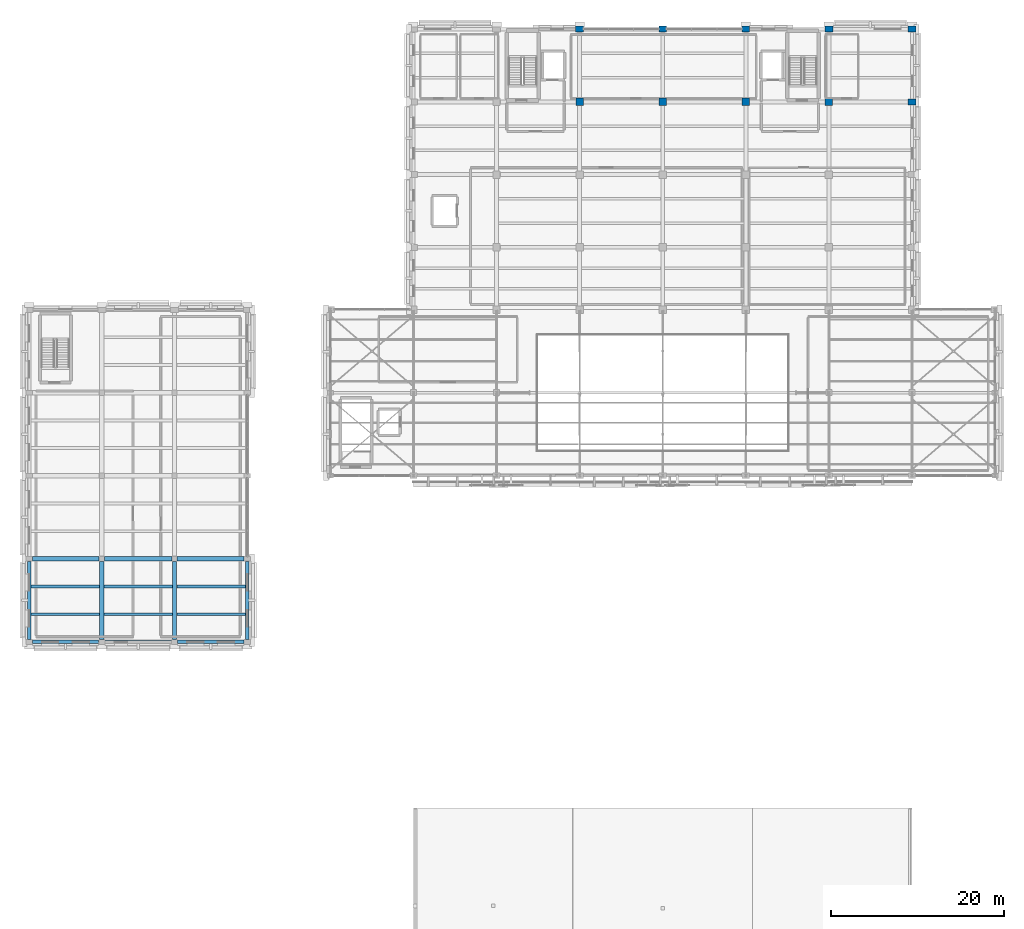
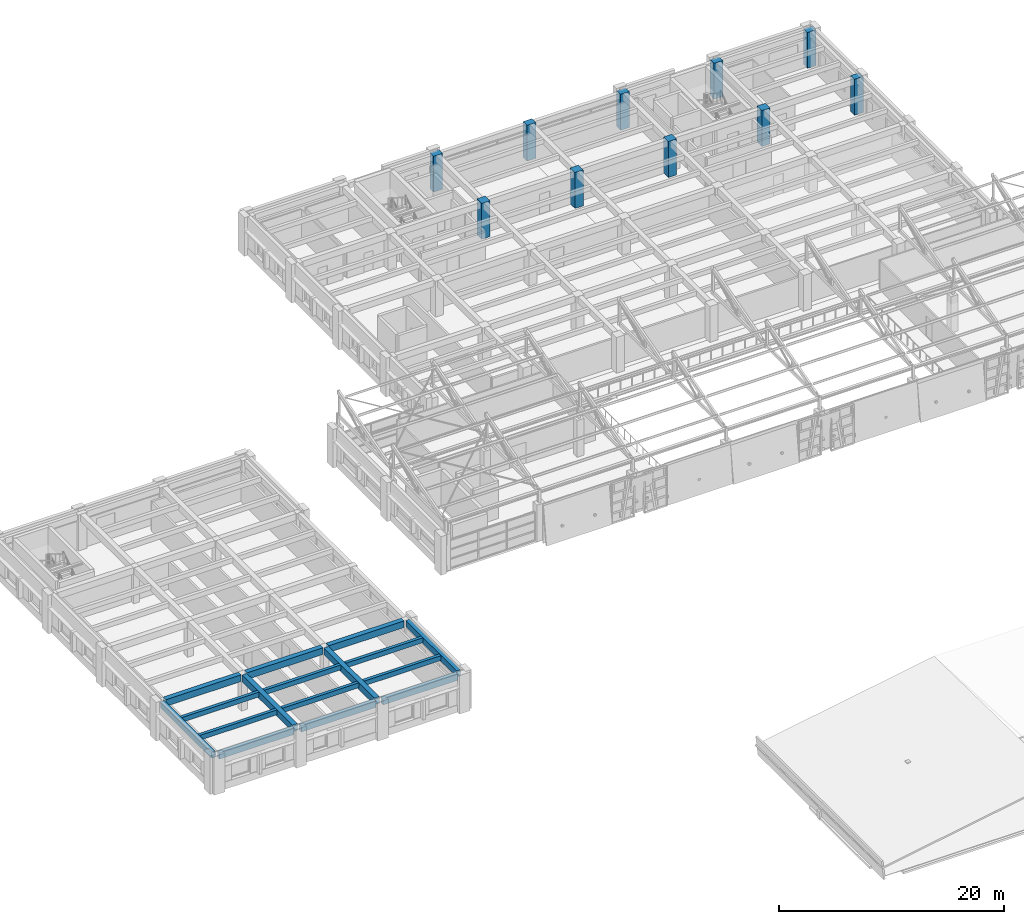
# One storey, part 11 of 58: 16 beams, 10 columns.
"""IFC4 building model written with IfcOpenShell, lengths in metres."""

from ifc_helpers import new_model, si_unit, direction, frame, origin, origin_2d, place, context, subcontext, project, spatial, rectangle, extrude, material, material_profile, profile_set, type_object, element, save


model = new_model("IFC4")

# Units and contexts
model_context = context("Model", 3, precision=1e-05, world=origin(), true_north=direction((0.0, 1.0)))
body_context = subcontext(model_context, "Body", "Model", "MODEL_VIEW")
ifc_project = project(units=[si_unit("LENGTHUNIT", "METRE"), si_unit("AREAUNIT", "SQUARE_METRE"), si_unit("VOLUMEUNIT", "CUBIC_METRE"), si_unit("PLANEANGLEUNIT", "RADIAN"), si_unit("MASSUNIT", "GRAM", prefix="KILO")], contexts=[model_context])

# Site, building, storey
site_placement = place(None, origin())
site = spatial("IfcSite", under=ifc_project, at=site_placement, CompositionType="ELEMENT")
building_placement = place(site_placement, origin())
building = spatial("IfcBuilding", under=site, at=building_placement, Name="Bempovik Park Faculty of Sciences", CompositionType="ELEMENT")
storey_placement = place(building_placement, frame((0.0, 0.0, 18.300048828125)))
storey = spatial("IfcBuildingStorey", under=building, at=storey_placement, Name="L04", CompositionType="ELEMENT", Elevation=18.300048828125)

# Columns
ifc_material_1 = material(Name="Concrete C40/50", Category="concrete")
ifc_material_profile_1 = material_profile(ifc_material_1, rectangle(XDim=0.89990234375, YDim=0.699951171875, at=origin_2d()), Name="RC 900x700")
ifc_profile_set_1 = profile_set([ifc_material_profile_1], Name="Concrete C40/50")
column_type_1 = type_object("IfcColumnType", Name="C-25 RC 900x700", PredefinedType="COLUMN", material=ifc_profile_set_1)
for number, where, z_axis, x_axis, name in (
    (1, (79.199951171875, 119.39990234375, 0.0), (0.0, 0.0, 1.0), (1.0, 0.0, 0.0), "L04 Structural Column (79.2,119.4)"),
    (2, (88.800048828125, 119.39990234375, 0.0), (0.0, 0.0, 1.0), (1.0, 0.0, 0.0), "L04 Structural Column (88.8,119.4)"),
    (3, (98.39990234375, 119.39990234375, 0.0), (0.0, 0.0, 1.0), (1.0, 0.0, 0.0), "L04 Structural Column (98.4,119.4)"),
    (4, (108.0, 119.39990234375, 0.0), (0.0, 0.0, 1.0), (1.0, 0.0, 0.0), "L04 Structural Column (108.0,119.4)"),
    (5, (117.60009765625, 111.0, 0.0), (0.0, 0.0, 1.0), (1.0, 0.0, 0.0), "L04 Structural Column (117.6,111.0)"),
    (6, (117.60009765625, 119.39990234375, 0.0), (0.0, 0.0, 1.0), (1.0, 0.0, 0.0), "L04 Structural Column (117.6,119.4)"),
):
    element("IfcColumn", number, at=place(storey_placement, frame(where, z_axis=z_axis, x_axis=x_axis)), inside=storey, type_object=column_type_1, Name=name, PredefinedType="COLUMN", context=body_context, shape_type="SweptSolid", body=[
        extrude(rectangle(XDim=0.89990234375, YDim=0.699951171875, at=origin_2d()), origin(), (0.0, 0.0, 1.0), 3.89990234375),
    ])
ifc_material_profile_2 = material_profile(ifc_material_1, rectangle(XDim=0.85009765625, YDim=0.85009765625, at=origin_2d()), Name="RC 850x850")
ifc_profile_set_2 = profile_set([ifc_material_profile_2], Name="Concrete C40/50")
column_type_2 = type_object("IfcColumnType", Name="C-36 RC 850x850", PredefinedType="COLUMN", material=ifc_profile_set_2)
for number, where, z_axis, x_axis, name in (
    (7, (79.199951171875, 111.0, 0.0), (0.0, 0.0, 1.0), (1.0, 0.0, 0.0), "L04 Structural Column (79.2,111.0)"),
    (8, (88.800048828125, 111.0, 0.0), (0.0, 0.0, 1.0), (1.0, 0.0, 0.0), "L04 Structural Column (88.8,111.0)"),
    (9, (98.39990234375, 111.0, 0.0), (0.0, 0.0, 1.0), (1.0, 0.0, 0.0), "L04 Structural Column (98.4,111.0)"),
    (10, (108.0, 111.0, 0.0), (0.0, 0.0, 1.0), (1.0, 0.0, 0.0), "L04 Structural Column (108.0,111.0)"),
):
    element("IfcColumn", number, at=place(storey_placement, frame(where, z_axis=z_axis, x_axis=x_axis)), inside=storey, type_object=column_type_2, Name=name, PredefinedType="COLUMN", context=body_context, shape_type="SweptSolid", body=[
        extrude(rectangle(XDim=0.85009765625, YDim=0.85009765625, at=origin_2d()), origin(), (0.0, 0.0, 1.0), 3.89990234375),
    ])

# Beams
ifc_material_2 = material(Name="Concrete C35/45", Category="concrete")
ifc_material_profile_3 = material_profile(ifc_material_2, rectangle(XDim=0.320068359375, YDim=0.52001953125, at=origin_2d()), Name="RC 320x520")
ifc_profile_set_3 = profile_set([ifc_material_profile_3], Name="Concrete C35/45")
beam_type_1 = type_object("IfcBeamType", Name="B-028 RC 320x520", PredefinedType="JOIST", material=ifc_profile_set_3)
for number, where, z_axis, x_axis, name in (
    (11, (15.805908203125, 51.800048828125, 3.639892578125), (1.0, 0.0, 0.0), (0.0, 1.0, 0.0), "L04 Secondary Joist (15.6-24.0, y=51.80)"),
    (12, (15.805908203125, 55.0, 3.639892578125), (1.0, 0.0, 0.0), (0.0, 1.0, 0.0), "L04 Secondary Joist (15.6-24.0, y=55.00)"),
):
    element("IfcBeam", number, at=place(storey_placement, frame(where, z_axis=z_axis, x_axis=x_axis)), inside=storey, type_object=beam_type_1, Name=name, PredefinedType="JOIST", context=body_context, shape_type="SweptSolid", body=[
        extrude(rectangle(XDim=0.320068359375, YDim=0.52001953125, at=origin_2d()), origin(), (0.0, 0.0, 1.0), 7.93798828125),
    ])
for number, where, z_axis, x_axis, name in (
    (13, (24.256103515625, 51.800048828125, 3.639892578125), (1.0, 0.0, 0.0), (0.0, 1.0, 0.0), "L04 Secondary Joist (24.0-32.4, y=51.80)"),
    (14, (24.256103515625, 55.0, 3.639892578125), (1.0, 0.0, 0.0), (0.0, 1.0, 0.0), "L04 Secondary Joist (24.0-32.4, y=55.00)"),
):
    element("IfcBeam", number, at=place(storey_placement, frame(where, z_axis=z_axis, x_axis=x_axis)), inside=storey, type_object=beam_type_1, Name=name, PredefinedType="JOIST", context=body_context, shape_type="SweptSolid", body=[
        extrude(rectangle(XDim=0.320068359375, YDim=0.52001953125, at=origin_2d()), origin(), (0.0, 0.0, 1.0), 7.887939453125),
    ])
for number, where, z_axis, x_axis, name in (
    (15, (32.656005859375, 51.800048828125, 3.639892578125), (1.0, 0.0, 0.0), (0.0, 1.0, 0.0), "L04 Secondary Joist (32.4-40.8, y=51.80)"),
    (16, (32.656005859375, 55.0, 3.639892578125), (1.0, 0.0, 0.0), (0.0, 1.0, 0.0), "L04 Secondary Joist (32.4-40.8, y=55.00)"),
):
    element("IfcBeam", number, at=place(storey_placement, frame(where, z_axis=z_axis, x_axis=x_axis)), inside=storey, type_object=beam_type_1, Name=name, PredefinedType="JOIST", context=body_context, shape_type="SweptSolid", body=[
        extrude(rectangle(XDim=0.320068359375, YDim=0.52001953125, at=origin_2d()), origin(), (0.0, 0.0, 1.0), 7.93798828125),
    ])
ifc_material_profile_4 = material_profile(ifc_material_2, rectangle(XDim=0.5, YDim=0.719970703125, at=origin_2d()), Name="RC 500x720")
ifc_profile_set_4 = profile_set([ifc_material_profile_4], Name="Concrete C35/45")
beam_type_2 = type_object("IfcBeamType", Name="B-092 RC 500x720", PredefinedType="BEAM", material=ifc_profile_set_4)
beam_1_placement = place(storey_placement, frame((15.966064453125, 58.199951171875, 3.5400390625), z_axis=(1.0, 0.0, 0.0), x_axis=(0.0, 1.0, 0.0)))
element("IfcBeam", 17, at=beam_1_placement, inside=storey, type_object=beam_type_2, Name="L04 Beam X (15.6-24.0, y=58.2)", PredefinedType="BEAM", context=body_context, shape_type="SweptSolid", body=[
    extrude(rectangle(XDim=0.5, YDim=0.719970703125, at=origin_2d()), origin(), (0.0, 0.0, 1.0), 7.72802734375),
])
beam_2_placement = place(storey_placement, frame((24.305908203125, 58.199951171875, 3.5400390625), z_axis=(1.0, 0.0, 0.0), x_axis=(0.0, 1.0, 0.0)))
element("IfcBeam", 18, at=beam_2_placement, inside=storey, type_object=beam_type_2, Name="L04 Beam X (24.0-32.4, y=58.2)", PredefinedType="BEAM", context=body_context, shape_type="SweptSolid", body=[
    extrude(rectangle(XDim=0.5, YDim=0.719970703125, at=origin_2d()), origin(), (0.0, 0.0, 1.0), 7.7880859375),
])
beam_3_placement = place(storey_placement, frame((32.7060546875, 58.199951171875, 3.5400390625), z_axis=(1.0, 0.0, 0.0), x_axis=(0.0, 1.0, 0.0)))
element("IfcBeam", 19, at=beam_3_placement, inside=storey, type_object=beam_type_2, Name="L04 Beam X (32.4-40.8, y=58.2)", PredefinedType="BEAM", context=body_context, shape_type="SweptSolid", body=[
    extrude(rectangle(XDim=0.5, YDim=0.719970703125, at=origin_2d()), origin(), (0.0, 0.0, 1.0), 7.72802734375),
])
for number, where, z_axis, x_axis, name in (
    (20, (24.0, 48.8759765625, 3.5400390625), (0.0, 1.0, 0.0), (-1.0, 0.0, 0.0), "L04 Beam Y (x=24.0, 48.6-58.2)"),
    (21, (32.39990234375, 48.8759765625, 3.5400390625), (0.0, 1.0, 0.0), (-1.0, 0.0, 0.0), "L04 Beam Y (x=32.4, 48.6-58.2)"),
):
    element("IfcBeam", number, at=place(storey_placement, frame(where, z_axis=z_axis, x_axis=x_axis)), inside=storey, type_object=beam_type_2, Name=name, PredefinedType="BEAM", context=body_context, shape_type="SweptSolid", body=[
        extrude(rectangle(XDim=0.5, YDim=0.719970703125, at=origin_2d()), origin(), (0.0, 0.0, 1.0), 9.01806640625),
    ])
ifc_material_profile_5 = material_profile(ifc_material_2, rectangle(XDim=0.39990234375, YDim=0.659912109375, at=origin_2d()), Name="RC 400x660")
ifc_profile_set_5 = profile_set([ifc_material_profile_5], Name="Concrete C35/45")
beam_type_3 = type_object("IfcBeamType", Name="B-097 RC 400x660", PredefinedType="SPANDREL", material=ifc_profile_set_5)
for number, where, z_axis, x_axis, name in (
    (22, (15.966064453125, 48.60009765625, 3.570068359375), (1.0, 0.0, 0.0), (0.0, 1.0, 0.0), "L04 Beam X (15.6-24.0, y=48.6)"),
    (23, (24.365966796875, 48.60009765625, 3.570068359375), (1.0, 0.0, 0.0), (0.0, 1.0, 0.0), "L04 Beam X (24.0-32.4, y=48.6)"),
    (24, (32.76611328125, 48.60009765625, 3.570068359375), (1.0, 0.0, 0.0), (0.0, 1.0, 0.0), "L04 Beam X (32.4-40.8, y=48.6)"),
):
    element("IfcBeam", number, at=place(storey_placement, frame(where, z_axis=z_axis, x_axis=x_axis)), inside=storey, type_object=beam_type_3, Name=name, PredefinedType="SPANDREL", context=body_context, shape_type="SweptSolid", body=[
        extrude(rectangle(XDim=0.39990234375, YDim=0.659912109375, at=origin_2d()), origin(), (0.0, 0.0, 1.0), 7.66796875),
    ])
for number, where, z_axis, x_axis, name in (
    (25, (15.60009765625, 48.8759765625, 3.570068359375), (0.0, 1.0, 0.0), (-1.0, 0.0, 0.0), "L04 Beam Y (x=15.6, 48.6-58.2)"),
    (26, (40.800048828125, 48.8759765625, 3.570068359375), (0.0, 1.0, 0.0), (-1.0, 0.0, 0.0), "L04 Beam Y (x=40.8, 48.6-58.2)"),
):
    element("IfcBeam", number, at=place(storey_placement, frame(where, z_axis=z_axis, x_axis=x_axis)), inside=storey, type_object=beam_type_3, Name=name, PredefinedType="SPANDREL", context=body_context, shape_type="SweptSolid", body=[
        extrude(rectangle(XDim=0.39990234375, YDim=0.659912109375, at=origin_2d()), origin(), (0.0, 0.0, 1.0), 9.048095703125),
    ])

save(model, "model.ifc")
